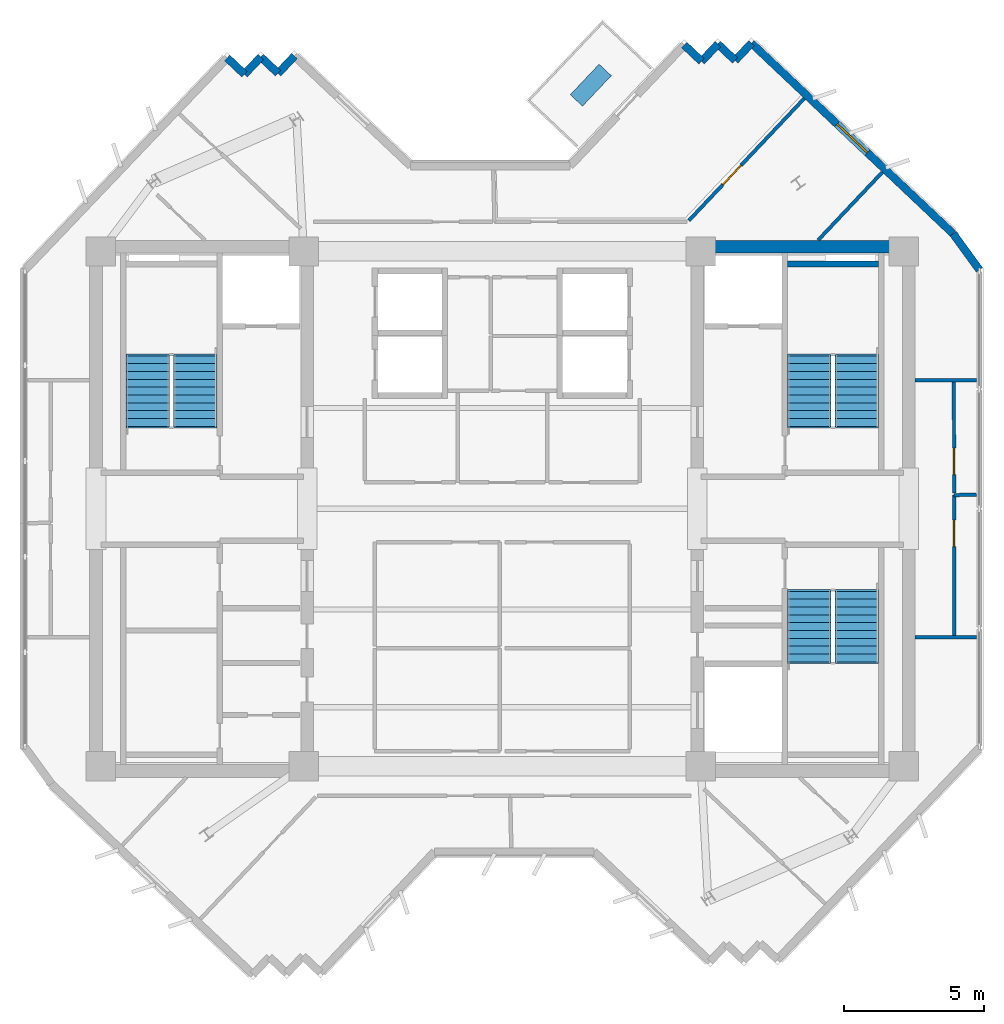
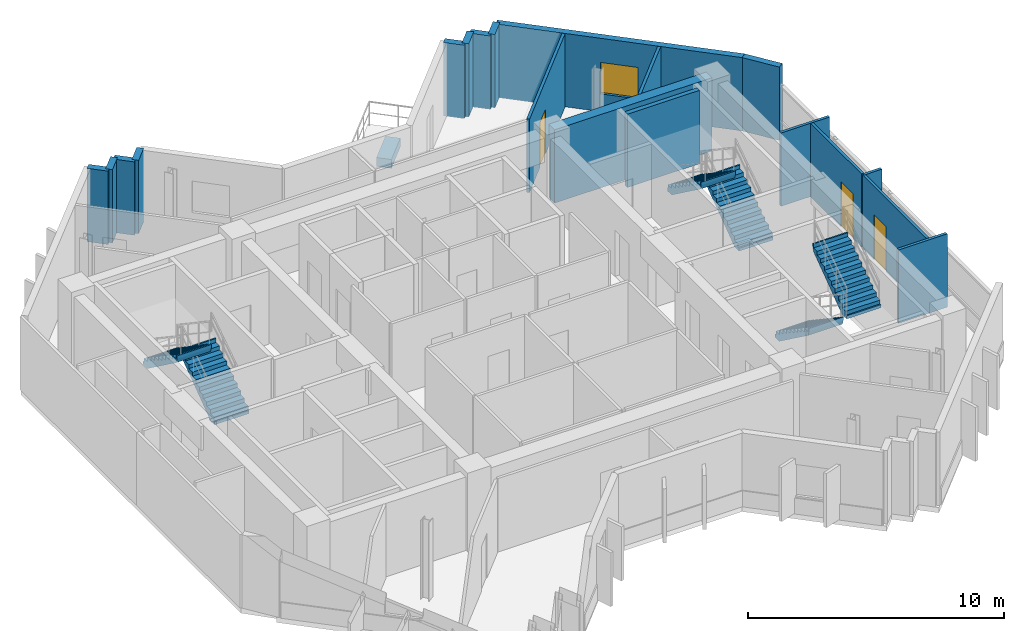
# One storey, part 7 of 9: 19 walls, 6 stair flights, 3 doors, 1 discrete accessory, 1 window, 4 openings, 3 elements without a shape of their own.
"""IFC4 building model written with IfcOpenShell, lengths in metres."""

import ifcopenshell
import ifcopenshell.guid

model = None  # the IFC model being written
_history = None  # IfcOwnerHistory: only IFC2X3 demands one
_inside = {}  # id of a spatial element -> (the spatial element, [elements in it])
_under = {}  # id of a project, library or spatial element -> (it, [spatial elements below it])
_declared = {}  # id of a project -> (the project, [libraries it declares])
_typed = {}  # id of a type object -> (the type object, [elements of that type])
_made_of = {}  # id of a material, layer set ... -> (it, [elements and type objects made of it])


def new_model(schema):
    """Start an empty IFC model of exactly this schema.

    Asked for "IFC4X3", IfcOpenShell would pick the latest addendum, in which some entities
    have other attributes; the version numbers below select the first issue.
    IFC2X3 requires an IfcOwnerHistory on every rooted entity: one is made here for all.
    """
    global model, _history
    if schema == "IFC4X3":
        model = ifcopenshell.file(schema_version=(4, 3, 0, 0))
    else:
        model = ifcopenshell.file(schema=schema)
    _inside.clear()
    _under.clear()
    _declared.clear()
    _typed.clear()
    _made_of.clear()
    _history = None
    if model.schema == "IFC2X3":
        org = make("IfcOrganization", Name="unknown")
        user = make(
            "IfcPersonAndOrganization",
            ThePerson=make("IfcPerson", FamilyName="unknown"),
            TheOrganization=org,
        )
        app = make(
            "IfcApplication",
            ApplicationDeveloper=org,
            Version="unknown",
            ApplicationFullName="unknown",
            ApplicationIdentifier="unknown",
        )
        _history = make(
            "IfcOwnerHistory",
            OwningUser=user,
            OwningApplication=app,
            ChangeAction="ADDED",
            CreationDate=0,
        )
    return model


def make(cls, **values):
    """One entity of the class cls with the attributes given. An attribute that is None is left unset."""
    return model.create_entity(
        cls, **{name: value for name, value in values.items() if value is not None}
    )


def rooted(cls, **values):
    """An entity with a GlobalId (a new one), such as an element, a storey or a relation."""
    return make(cls, GlobalId=ifcopenshell.guid.new(), OwnerHistory=_history, **values)


def si_unit(unit_type, name, prefix=None):
    """IfcSIUnit, for example si_unit("LENGTHUNIT", "METRE", prefix="MILLI")."""
    return make("IfcSIUnit", UnitType=unit_type, Prefix=prefix, Name=name)


def assignment(units):
    """IfcUnitAssignment: the units of a project."""
    return None if units is None else make("IfcUnitAssignment", Units=units)


def point(xyz):
    """IfcCartesianPoint."""
    return None if xyz is None else make("IfcCartesianPoint", Coordinates=xyz)


def direction(xyz):
    """IfcDirection."""
    return None if xyz is None else make("IfcDirection", DirectionRatios=xyz)


def frame(location, z_axis=None, x_axis=None):
    """IfcAxis2Placement3D, a coordinate frame: its origin and axes. An axis left out is left unset."""
    return make(
        "IfcAxis2Placement3D",
        Location=point(location),
        Axis=direction(z_axis),
        RefDirection=direction(x_axis),
    )


def frame_2d(location, x_axis=None):
    """IfcAxis2Placement2D, a coordinate frame in the plane: its origin and x axis."""
    return make(
        "IfcAxis2Placement2D", Location=point(location), RefDirection=direction(x_axis)
    )


def origin():
    """The frame at (0, 0, 0) with its axes left unset."""
    return frame((0.0, 0.0, 0.0))


def origin_2d():
    """The frame at (0, 0) in the plane with its x axis left unset."""
    return frame_2d((0.0, 0.0))


def place(relative_to, where):
    """IfcLocalPlacement: puts the frame where relative to a parent placement (None: the world)."""
    return make(
        "IfcLocalPlacement", PlacementRelTo=relative_to, RelativePlacement=where
    )


def context(
    kind, dimensions, precision=None, world=None, true_north=None, identifier=None
):
    """IfcGeometricRepresentationContext, for example the 3D "Model" context."""
    return make(
        "IfcGeometricRepresentationContext",
        ContextIdentifier=identifier,
        ContextType=kind,
        CoordinateSpaceDimension=dimensions,
        Precision=precision,
        WorldCoordinateSystem=world,
        TrueNorth=true_north,
    )


def subcontext(parent, identifier, kind, view, scale=None):
    """IfcGeometricRepresentationSubContext, for example "Body" below "Model"."""
    return make(
        "IfcGeometricRepresentationSubContext",
        ContextIdentifier=identifier,
        ContextType=kind,
        ParentContext=parent,
        TargetScale=scale,
        TargetView=view,
    )


def project(units=None, contexts=None):
    """IfcProject with its units and contexts."""
    return rooted(
        "IfcProject",
        Name="project",
        RepresentationContexts=contexts,
        UnitsInContext=assignment(units),
    )


def spatial(cls, under=None, at=None, **own):
    """A site, building, storey or space (cls), placed at a placement, below another one or the project."""
    s = rooted(cls, ObjectPlacement=at, **own)
    if under is not None:
        _under.setdefault(under.id(), (under, []))[1].append(s)
    return s


def polyline(points):
    """IfcPolyline through the points."""
    return make("IfcPolyline", Points=[point(p) for p in points])


def profile(cls, at=None, kind="AREA", **sizes):
    """A parametric profile (cls). Its sizes go by their IFC names, for example OverallWidth=200.0."""
    return make(cls, ProfileType=kind, Position=at, **sizes)


def rectangle(**sizes):
    """IfcRectangleProfileDef."""
    return profile("IfcRectangleProfileDef", **sizes)


def outline(outer, holes=None, kind="AREA"):
    """IfcArbitraryClosedProfileDef: a profile drawn as a closed curve; with holes, ...WithVoids."""
    if holes is None:
        return make("IfcArbitraryClosedProfileDef", ProfileType=kind, OuterCurve=outer)
    return make(
        "IfcArbitraryProfileDefWithVoids",
        ProfileType=kind,
        OuterCurve=outer,
        InnerCurves=holes,
    )


def extrude(swept, where, along, depth):
    """IfcExtrudedAreaSolid: the profile swept, set in the frame where, extruded along a direction by depth."""
    return make(
        "IfcExtrudedAreaSolid",
        SweptArea=swept,
        Position=where,
        ExtrudedDirection=direction(along),
        Depth=depth,
    )


def shape(context_of_items, identifier, shape_type, items):
    """IfcShapeRepresentation: the items that make up one representation, for example the "Body"."""
    return make(
        "IfcShapeRepresentation",
        ContextOfItems=context_of_items,
        RepresentationIdentifier=identifier,
        RepresentationType=shape_type,
        Items=items,
    )


def source(mapping_origin, context_of_items, identifier, shape_type, items):
    """IfcRepresentationMap: a shape defined once, which mapped items show again and again."""
    return make(
        "IfcRepresentationMap",
        MappingOrigin=mapping_origin,
        MappedRepresentation=shape(context_of_items, identifier, shape_type, items),
    )


def transform(
    local_origin,
    x_axis=None,
    y_axis=None,
    z_axis=None,
    scale=None,
    scale2=None,
    scale3=None,
    uniform=True,
):
    """IfcCartesianTransformationOperator3D, or its non-uniform kind. x_axis, y_axis, z_axis: its Axis1, 2, 3."""
    if uniform:
        return make(
            "IfcCartesianTransformationOperator3D",
            Axis1=direction(x_axis),
            Axis2=direction(y_axis),
            LocalOrigin=point(local_origin),
            Scale=scale,
            Axis3=direction(z_axis),
        )
    return make(
        "IfcCartesianTransformationOperator3DnonUniform",
        Axis1=direction(x_axis),
        Axis2=direction(y_axis),
        LocalOrigin=point(local_origin),
        Scale=scale,
        Axis3=direction(z_axis),
        Scale2=scale2,
        Scale3=scale3,
    )


def mapped(mapping_source, mapping_target):
    """IfcMappedItem: shows the shape of a source again, moved by a transform."""
    return make(
        "IfcMappedItem", MappingSource=mapping_source, MappingTarget=mapping_target
    )


def material(Name=None, Category=None):
    """IfcMaterial."""
    return make("IfcMaterial", Name=Name, Category=Category)


def layer(
    of_material, thickness, ventilated=None, Name=None, Category=None, Priority=None
):
    """IfcMaterialLayer: one layer of a wall or slab, of a material (None: an air gap)."""
    return make(
        "IfcMaterialLayer",
        Material=of_material,
        LayerThickness=thickness,
        IsVentilated=ventilated,
        Name=Name,
        Category=Category,
        Priority=Priority,
    )


def layer_set(layers, Name=None):
    """IfcMaterialLayerSet."""
    return make("IfcMaterialLayerSet", MaterialLayers=layers, LayerSetName=Name)


def made_of(thing, what):
    """Note that an element or type object is made of a material, layer set ...; save() writes the relation."""
    if what is not None:
        _made_of.setdefault(what.id(), (what, []))[1].append(thing)
    return thing


def type_object(cls, material=None, **own):
    """A type object (cls), such as IfcWallType, which elements share."""
    return made_of(rooted(cls, **own), material)


def element(
    cls,
    number,
    at=None,
    inside=None,
    cuts=None,
    type_object=None,
    material=None,
    context=None,
    identifier="Body",
    shape_type=None,
    held_by="IfcProductDefinitionShape",
    body=None,
    shapes=None,
    **own,
):
    """One element of the class cls, such as IfcWall. Its Tag is "e" and its number.

    at: its placement. inside: the storey or other place that contains it. cuts: it is an
    opening in that element (IfcRelVoidsElement). A single representation is given by context,
    identifier, shape_type and body (its items); several are given by shapes. held_by: the class
    of the entity that holds the representations. save() writes the other relations.
    """
    e = rooted(cls, Tag="e%d" % number, ObjectPlacement=at, **own)
    if body is not None:
        shapes = [shape(context, identifier, shape_type, body)]
    if shapes is not None:
        e.Representation = make(held_by, Representations=shapes)
    if inside is not None:
        _inside.setdefault(inside.id(), (inside, []))[1].append(e)
    if cuts is not None:
        rooted(
            "IfcRelVoidsElement", RelatingBuildingElement=cuts, RelatedOpeningElement=e
        )
    if type_object is not None:
        _typed.setdefault(type_object.id(), (type_object, []))[1].append(e)
    return made_of(e, material)


def fill(opening, filler):
    """IfcRelFillsElement: the door or window that sits in an opening."""
    return rooted(
        "IfcRelFillsElement",
        RelatingOpeningElement=opening,
        RelatedBuildingElement=filler,
    )


def aggregate(whole, parts):
    """IfcRelAggregates: a whole, such as a stair, and the parts it consists of."""
    return rooted("IfcRelAggregates", RelatingObject=whole, RelatedObjects=parts)


def save(model, path):
    """Write the relations noted so far, then the file.

    IfcRelAggregates (storeys below a building ...), IfcRelContainedInSpatialStructure (elements
    in a storey), IfcRelDefinesByType, IfcRelAssociatesMaterial and IfcRelDeclares: one each for
    every whole, place, type object, material and project.
    """
    for whole, parts in _under.values():
        aggregate(whole, parts)
    for where, things in _inside.values():
        rooted(
            "IfcRelContainedInSpatialStructure",
            RelatedElements=things,
            RelatingStructure=where,
        )
    for kind, things in _typed.values():
        rooted("IfcRelDefinesByType", RelatedObjects=things, RelatingType=kind)
    for what, things in _made_of.values():
        rooted("IfcRelAssociatesMaterial", RelatedObjects=things, RelatingMaterial=what)
    for by, libraries in _declared.values():
        rooted("IfcRelDeclares", RelatingContext=by, RelatedDefinitions=libraries)
    model.write(path)


model = new_model("IFC4")

# Units and contexts
model_context = context("Model", 3, precision=1e-05, world=origin(), true_north=direction((0.0, 1.0)))
body_context = subcontext(model_context, "Body", "Model", "MODEL_VIEW")
ifc_project = project(units=[si_unit("LENGTHUNIT", "METRE"), si_unit("AREAUNIT", "SQUARE_METRE"), si_unit("VOLUMEUNIT", "CUBIC_METRE"), si_unit("PLANEANGLEUNIT", "RADIAN"), si_unit("MASSUNIT", "GRAM", prefix="KILO")], contexts=[model_context])

# Site, building, storey
site_placement = place(None, origin())
site = spatial("IfcSite", under=ifc_project, at=site_placement, CompositionType="ELEMENT")
building_placement = place(site_placement, origin())
building = spatial("IfcBuilding", under=site, at=building_placement, Name="Zahravan Cultural Tower", CompositionType="ELEMENT")
storey_placement = place(building_placement, frame((0.0, 0.0, 306.60009765625)))
storey = spatial("IfcBuildingStorey", under=building, at=storey_placement, Name="L74", CompositionType="ELEMENT", Elevation=306.60009765625)

# Wall, opening, window
ifc_material_1 = material(Name="Precast concrete C40/50", Category="concrete")
ifc_layer_1 = layer(ifc_material_1, 0.280029296875)
ifc_layer_set_1 = layer_set([ifc_layer_1], Name="Precast concrete C40/50")
wall_type_1 = type_object("IfcWallType", Name="EW-TC-280", PredefinedType="SOLIDWALL", material=ifc_layer_set_1)
wall_1_placement = place(storey_placement, frame((44.91015625, 43.648681640625, 0.0), z_axis=(0.0, 0.0, 1.0), x_axis=(0.726772856404, -0.686877875022, 0.0)))
wall_1 = element("IfcWall", 1, at=wall_1_placement, inside=storey, type_object=wall_type_1, Name="L74 Exterior Masonry Frame Wall 06", PredefinedType="SOLIDWALL", context=body_context, shape_type="SweptSolid", body=[
    extrude(rectangle(XDim=9.919921875, YDim=0.280029296875, at=frame_2d((4.9599609375, 0.0))), origin(), (0.0, 0.0, 1.0), 3.5),
])
opening_1_placement = place(wall_1_placement, frame((4.2099609375, 0.0, 0.85009765625)))
opening_1 = element("IfcOpeningElement", 2, at=opening_1_placement, cuts=wall_1, Name="Opening WN-03", PredefinedType="OPENING", context=body_context, shape_type="SweptSolid", body=[
    extrude(rectangle(XDim=1.5, YDim=1.5, at=frame_2d((0.75, 0.75))), frame((0.0, 0.14990234375, 0.0), z_axis=(0.0, -1.0, 0.0), x_axis=(1.0, 0.0, 0.0)), (0.0, 0.0, 1.0), 0.300048828125),
])
ifc_material_2 = material(Name="Low-E solar-control double glazing", Category="glass")
window_type = type_object("IfcWindowType", Name="WN-REC-1500X1500", PartitioningType="SINGLE_PANEL", PredefinedType="WINDOW", material=ifc_material_2)
shared_shape_1 = source(origin(), body_context, "Body", "SweptSolid", [
    extrude(rectangle(XDim=1.5, YDim=1.5, at=frame_2d((0.75, 0.75))), frame((0.0, 0.030029296875, 0.0), z_axis=(0.0, -1.0, 0.0), x_axis=(1.0, 0.0, 0.0)), (0.0, 0.0, 1.0), 0.06005859375),
])
window_placement = place(opening_1_placement, origin())
window = element("IfcWindow", 3, at=window_placement, inside=storey, type_object=window_type, Name="L74 Recessed Solar Window 01", OverallHeight=1.5, OverallWidth=1.5, PartitioningType="SINGLE_PANEL", PredefinedType="WINDOW", context=body_context, shape_type="MappedRepresentation", body=[
    mapped(shared_shape_1, transform((0.0, 0.0, 0.0), x_axis=(1.0, 0.0, 0.0), y_axis=(0.0, 1.0, 0.0), z_axis=(0.0, 0.0, 1.0), scale=1.0)),
])
fill(opening_1, window)

# Wall, opening, door
ifc_material_3 = material(Name="Gypsum plasterboard partition")
ifc_layer_2 = layer(ifc_material_3, 0.125)
ifc_layer_set_2 = layer_set([ifc_layer_2], Name="Gypsum plasterboard partition")
wall_type_2 = type_object("IfcWallType", Name="W-PART-125", PredefinedType="PARTITIONING", material=ifc_layer_set_2)
wall_2_placement = place(storey_placement, frame((52.1494140625, 22.470947265625, 0.0), z_axis=(0.0, 0.0, 1.0), x_axis=(9.7318865e-05, 0.999999995265, 0.0)))
wall_2 = element("IfcWall", 4, at=wall_2_placement, inside=storey, type_object=wall_type_2, Name="L74 Interior Wall 075", PredefinedType="PARTITIONING", context=body_context, shape_type="SweptSolid", body=[
    extrude(rectangle(XDim=5.017333984375, YDim=0.125, at=frame_2d((2.5087890625, 0.0))), origin(), (0.0, 0.0, 1.0), 3.5),
])
opening_2_placement = place(wall_2_placement, frame((3.172607421875, 0.0, 0.0)))
opening_2 = element("IfcOpeningElement", 5, at=opening_2_placement, cuts=wall_2, Name="Opening D-L74-30", PredefinedType="OPENING", context=body_context, shape_type="SweptSolid", body=[
    extrude(rectangle(XDim=0.949951171875, YDim=2.14990234375, at=frame_2d((0.47509765625, 1.074951171875))), frame((0.0, 0.072509765625, 0.0), z_axis=(0.0, -1.0, 0.0), x_axis=(1.0, 0.0, 0.0)), (0.0, 0.0, 1.0), 0.14501953125),
])
ifc_material_4 = material(Name="Anodised bronze-aluminium mullion", Category="aluminium")
door_type = type_object("IfcDoorType", Name="DR-ROOM-950", OperationType="NOTDEFINED", PredefinedType="DOOR", material=ifc_material_4)
shared_shape_2 = source(origin(), body_context, "Body", "SweptSolid", [
    extrude(rectangle(XDim=0.949951171875, YDim=2.14990234375, at=frame_2d((0.47509765625, 1.074951171875))), frame((0.0, 0.02490234375, 0.0), z_axis=(0.0, -1.0, 0.0), x_axis=(1.0, 0.0, 0.0)), (0.0, 0.0, 1.0), 0.050048828125),
])
door_1_placement = place(opening_2_placement, origin())
door_1 = element("IfcDoor", 6, at=door_1_placement, inside=storey, type_object=door_type, Name="L74 Door D-L74-30", OperationType="SINGLE_SWING_LEFT", OverallHeight=2.14990234375, OverallWidth=0.949951171875, PredefinedType="DOOR", context=body_context, shape_type="MappedRepresentation", body=[
    mapped(shared_shape_2, transform((0.0, 0.0, 0.0), x_axis=(1.0, 0.0, 0.0), y_axis=(0.0, 1.0, 0.0), z_axis=(0.0, 0.0, 1.0), scale=1.0)),
])
fill(opening_2, door_1)

wall_3_placement = place(storey_placement, frame((42.67236328125, 37.306396484375, 0.0), z_axis=(0.0, 0.0, 1.0), x_axis=(0.686871949206, 0.726778456886, 0.0)))
wall_3 = element("IfcWall", 7, at=wall_3_placement, inside=storey, type_object=wall_type_2, Name="L74 Interior Wall 082", PredefinedType="PARTITIONING", context=body_context, shape_type="SweptSolid", body=[
    extrude(rectangle(XDim=6.00146484375, YDim=0.125, at=frame_2d((3.000732421875, 0.0))), origin(), (0.0, 0.0, 1.0), 3.5),
])
opening_3_placement = place(wall_3_placement, frame((1.76806640625, 0.0, 0.0)))
opening_3 = element("IfcOpeningElement", 8, at=opening_3_placement, cuts=wall_3, Name="Opening D-L74-32", PredefinedType="OPENING", context=body_context, shape_type="SweptSolid", body=[
    extrude(rectangle(XDim=0.949951171875, YDim=2.14990234375, at=frame_2d((0.47509765625, 1.074951171875))), frame((0.0, 0.072509765625, 0.0), z_axis=(0.0, -1.0, 0.0), x_axis=(1.0, 0.0, 0.0)), (0.0, 0.0, 1.0), 0.14501953125),
])
door_2_placement = place(opening_3_placement, origin())
door_2 = element("IfcDoor", 9, at=door_2_placement, inside=storey, type_object=door_type, Name="L74 Door D-L74-32", OperationType="SINGLE_SWING_LEFT", OverallHeight=2.14990234375, OverallWidth=0.949951171875, PredefinedType="DOOR", context=body_context, shape_type="MappedRepresentation", body=[
    mapped(shared_shape_2, transform((0.0, 0.0, 0.0), x_axis=(1.0, 0.0, 0.0), y_axis=(0.0, 1.0, 0.0), z_axis=(0.0, 0.0, 1.0), scale=1.0)),
])
fill(opening_3, door_2)

wall_4_placement = place(storey_placement, frame((52.14990234375, 27.555908203125, 0.0), z_axis=(0.0, 0.0, 1.0), x_axis=(-0.000245639885, 0.999999969831, 0.0)))
wall_4 = element("IfcWall", 10, at=wall_4_placement, inside=storey, type_object=wall_type_2, Name="L74 Interior Wall 089", PredefinedType="PARTITIONING", context=body_context, shape_type="SweptSolid", body=[
    extrude(rectangle(XDim=3.9755859375, YDim=0.125, at=frame_2d((1.98779296875, 0.0))), origin(), (0.0, 0.0, 1.0), 3.5),
])
opening_4_placement = place(wall_4_placement, frame((0.665771484375, 0.0, 0.0)))
opening_4 = element("IfcOpeningElement", 11, at=opening_4_placement, cuts=wall_4, Name="Opening D-L74-23", PredefinedType="OPENING", context=body_context, shape_type="SweptSolid", body=[
    extrude(rectangle(XDim=0.949951171875, YDim=2.14990234375, at=frame_2d((0.47509765625, 1.074951171875))), frame((0.0, 0.072509765625, 0.0), z_axis=(0.0, -1.0, 0.0), x_axis=(1.0, 0.0, 0.0)), (0.0, 0.0, 1.0), 0.14501953125),
])
door_3_placement = place(opening_4_placement, origin())
door_3 = element("IfcDoor", 12, at=door_3_placement, inside=storey, type_object=door_type, Name="L74 Door D-L74-23", OperationType="SINGLE_SWING_RIGHT", OverallHeight=2.14990234375, OverallWidth=0.949951171875, PredefinedType="DOOR", context=body_context, shape_type="MappedRepresentation", body=[
    mapped(shared_shape_2, transform((0.0, 0.0, 0.0), x_axis=(1.0, 0.0, 0.0), y_axis=(0.0, 1.0, 0.0), z_axis=(0.0, 0.0, 1.0), scale=1.0)),
])
fill(opening_4, door_3)

# Walls
ifc_material_5 = material(Name="Concrete C50/60", Category="concrete")
ifc_layer_3 = layer(ifc_material_5, 0.449951171875)
ifc_layer_set_3 = layer_set([ifc_layer_3], Name="Concrete C50/60")
wall_type_3 = type_object("IfcWallType", Name="CW-SHEAR-450-C50", PredefinedType="SHEAR", material=ifc_layer_set_3)
shared_shape_3 = source(origin(), body_context, "Body", "SweptSolid", [
    extrude(rectangle(XDim=7.10009765625, YDim=0.449951171875, at=frame_2d((3.550048828125, 0.0))), origin(), (0.0, 0.0, 1.0), 3.5),
])
wall_5_placement = place(storey_placement, frame((43.199951171875, 36.375, 0.0), z_axis=(0.0, 0.0, 1.0), x_axis=(1.0, 0.0, 0.0)))
element("IfcWall", 13, at=wall_5_placement, inside=storey, type_object=wall_type_3, Name="L74 Core Shear Wall CW-E-N-L74", PredefinedType="SHEAR", context=body_context, shape_type="MappedRepresentation", body=[
    mapped(shared_shape_3, transform((0.0, 0.0, 0.0), x_axis=(1.0, 0.0, 0.0), y_axis=(0.0, 1.0, 0.0), z_axis=(0.0, 0.0, 1.0), scale=1.0)),
])
shared_shape_4 = source(origin(), body_context, "Body", "SweptSolid", [
    extrude(rectangle(XDim=0.85009765625, YDim=0.280029296875, at=frame_2d((0.425048828125, 0.0))), origin(), (0.0, 0.0, 1.0), 3.5),
])
for number, where, z_axis, x_axis, name in (
    (14, (43.12451171875, 42.9970703125, 0.0), (0.0, 0.0, 1.0), (0.687011382404, 0.726646654466, 0.0), "L74 Exterior Masonry Frame Wall 03"),
    (15, (44.326171875, 43.031005859375, 0.0), (0.0, 0.0, 1.0), (0.687011382404, 0.726646654466, 0.0), "L74 Exterior Masonry Frame Wall 05"),
    (16, (26.78271484375, 42.535888671875, 0.0), (0.0, 0.0, 1.0), (0.687011382404, 0.726646654466, 0.0), "L74 Exterior Masonry Frame Wall 24"),
    (17, (27.984375, 42.56982421875, 0.0), (0.0, 0.0, 1.0), (0.687011382404, 0.726646654466, 0.0), "L74 Exterior Masonry Frame Wall 26"),
):
    element("IfcWall", number, at=place(storey_placement, frame(where, z_axis=z_axis, x_axis=x_axis)), inside=storey, type_object=wall_type_1, Name=name, PredefinedType="SOLIDWALL", context=body_context, shape_type="MappedRepresentation", body=[
        mapped(shared_shape_4, transform((0.0, 0.0, 0.0), x_axis=(1.0, 0.0, 0.0), y_axis=(0.0, 1.0, 0.0), z_axis=(0.0, 0.0, 1.0), scale=1.0)),
    ])
shared_shape_5 = source(origin(), body_context, "Body", "SweptSolid", [
    extrude(rectangle(XDim=0.849853515625, YDim=0.280029296875, at=frame_2d((0.4248046875, 0.0))), origin(), (0.0, 0.0, 1.0), 3.5),
])
for number, where, z_axis, x_axis, name in (
    (18, (42.5068359375, 43.580810546875, 0.0), (0.0, 0.0, 1.0), (0.726790047388, -0.686859685101, 0.0), "L74 Exterior Masonry Frame Wall 02"),
    (19, (43.70849609375, 43.61474609375, 0.0), (0.0, 0.0, 1.0), (0.726790047388, -0.686859685101, 0.0), "L74 Exterior Masonry Frame Wall 04"),
    (20, (26.1650390625, 43.11962890625, 0.0), (0.0, 0.0, 1.0), (0.726790047388, -0.686859685101, 0.0), "L74 Exterior Masonry Frame Wall 23"),
    (21, (27.36669921875, 43.153564453125, 0.0), (0.0, 0.0, 1.0), (0.726790047388, -0.686859685101, 0.0), "L74 Exterior Masonry Frame Wall 25"),
):
    element("IfcWall", number, at=place(storey_placement, frame(where, z_axis=z_axis, x_axis=x_axis)), inside=storey, type_object=wall_type_1, Name=name, PredefinedType="SOLIDWALL", context=body_context, shape_type="MappedRepresentation", body=[
        mapped(shared_shape_5, transform((0.0, 0.0, 0.0), x_axis=(1.0, 0.0, 0.0), y_axis=(0.0, 1.0, 0.0), z_axis=(0.0, 0.0, 1.0), scale=1.0)),
    ])
shared_shape_6 = source(origin(), body_context, "Body", "SweptSolid", [
    extrude(rectangle(XDim=1.598876953125, YDim=0.280029296875, at=frame_2d((0.79931640625, 0.0))), origin(), (0.0, 0.0, 1.0), 3.5),
])
wall_6_placement = place(storey_placement, frame((52.11962890625, 36.8349609375, 0.0), z_axis=(0.0, 0.0, 1.0), x_axis=(0.58820801539, -0.808709670173, 0.0)))
element("IfcWall", 22, at=wall_6_placement, inside=storey, type_object=wall_type_1, Name="L74 Exterior Masonry Frame Wall 07", PredefinedType="SOLIDWALL", context=body_context, shape_type="MappedRepresentation", body=[
    mapped(shared_shape_6, transform((0.0, 0.0, 0.0), x_axis=(1.0, 0.0, 0.0), y_axis=(0.0, 1.0, 0.0), z_axis=(0.0, 0.0, 1.0), scale=1.0)),
])
ifc_material_6 = material(Name="Concrete C45/55", Category="concrete")
ifc_layer_4 = layer(ifc_material_6, 0.199951171875)
ifc_layer_set_4 = layer_set([ifc_layer_4], Name="Concrete C45/55")
wall_type_4 = type_object("IfcWallType", Name="W-SHAFT-200", PredefinedType="SOLIDWALL", material=ifc_layer_set_4)
shared_shape_7 = source(origin(), body_context, "Body", "SweptSolid", [
    extrude(rectangle(XDim=3.25, YDim=0.199951171875, at=frame_2d((1.625, 0.0))), origin(), (0.0, 0.0, 1.0), 3.5),
])
wall_7_placement = place(storey_placement, frame((46.199951171875, 35.75, 0.0), z_axis=(0.0, 0.0, 1.0), x_axis=(1.0, 0.0, 0.0)))
element("IfcWall", 23, at=wall_7_placement, inside=storey, type_object=wall_type_4, Name="L74 Interior Wall 018", PredefinedType="SOLIDWALL", context=body_context, shape_type="MappedRepresentation", body=[
    mapped(shared_shape_7, transform((0.0, 0.0, 0.0), x_axis=(1.0, 0.0, 0.0), y_axis=(0.0, 1.0, 0.0), z_axis=(0.0, 0.0, 1.0), scale=1.0)),
])
shared_shape_8 = source(origin(), body_context, "Body", "SweptSolid", [
    extrude(rectangle(XDim=2.195068359375, YDim=0.125, at=frame_2d((1.09765625, 0.0))), origin(), (0.0, 0.0, 1.0), 3.5),
])
for number, where, z_axis, x_axis, name in (
    (24, (50.7548828125, 22.400146484375, 0.0), (0.0, 0.0, 1.0), (0.999997006375, 0.002446884011, 0.0), "L74 Interior Wall 074"),
    (25, (52.949951171875, 31.598388671875, 0.0), (0.0, 0.0, 1.0), (-0.999999696925, 0.000778556098, 0.0), "L74 Interior Wall 088"),
):
    element("IfcWall", number, at=place(storey_placement, frame(where, z_axis=z_axis, x_axis=x_axis)), inside=storey, type_object=wall_type_2, Name=name, PredefinedType="PARTITIONING", context=body_context, shape_type="MappedRepresentation", body=[
        mapped(shared_shape_8, transform((0.0, 0.0, 0.0), x_axis=(1.0, 0.0, 0.0), y_axis=(0.0, 1.0, 0.0), z_axis=(0.0, 0.0, 1.0), scale=1.0)),
    ])
shared_shape_9 = source(origin(), body_context, "Body", "SweptSolid", [
    extrude(rectangle(XDim=0.79541015625, YDim=0.125, at=frame_2d((0.397705078125, 0.0))), origin(), (0.0, 0.0, 1.0), 3.5),
])
wall_8_placement = place(storey_placement, frame((52.14990234375, 27.48828125, 0.0), z_axis=(0.0, 0.0, 1.0), x_axis=(0.999727865024, 0.023328006675, 0.0)))
element("IfcWall", 26, at=wall_8_placement, inside=storey, type_object=wall_type_2, Name="L74 Interior Wall 076", PredefinedType="PARTITIONING", context=body_context, shape_type="MappedRepresentation", body=[
    mapped(shared_shape_9, transform((0.0, 0.0, 0.0), x_axis=(1.0, 0.0, 0.0), y_axis=(0.0, 1.0, 0.0), z_axis=(0.0, 0.0, 1.0), scale=1.0)),
])
shared_shape_10 = source(origin(), body_context, "Body", "SweptSolid", [
    extrude(rectangle(XDim=3.33740234375, YDim=0.125, at=frame_2d((1.668701171875, 0.0))), origin(), (0.0, 0.0, 1.0), 3.5),
])
wall_9_placement = place(storey_placement, frame((49.58544921875, 39.030517578125, 0.0), z_axis=(0.0, 0.0, 1.0), x_axis=(-0.686891986515, -0.726759519278, 0.0)))
element("IfcWall", 27, at=wall_9_placement, inside=storey, type_object=wall_type_2, Name="L74 Interior Wall 081", PredefinedType="PARTITIONING", context=body_context, shape_type="MappedRepresentation", body=[
    mapped(shared_shape_10, transform((0.0, 0.0, 0.0), x_axis=(1.0, 0.0, 0.0), y_axis=(0.0, 1.0, 0.0), z_axis=(0.0, 0.0, 1.0), scale=1.0)),
])

# Stair, stair flights
stair_type = type_object("IfcStairType", Name="STR-DL-1550-375", PredefinedType="HALF_TURN_STAIR", material=ifc_material_6)
stair_1_placement = place(storey_placement, origin())
stair_1 = element("IfcStair", 28, at=stair_1_placement, inside=storey, type_object=stair_type, Name="L74 West Core North Exit Stair ST-W1", PredefinedType="HALF_TURN_STAIR")
stair_flight_type = type_object("IfcStairFlightType", Name="FLG-DL-1550-375", PredefinedType="STRAIGHT", material=ifc_material_6)
stair_flight_1_placement = place(storey_placement, frame((25.02490234375, 29.949951171875, 0.0), z_axis=(0.0, 0.0, 1.0), x_axis=(0.0, 1.0, 0.0)))
stair_flight_1 = element("IfcStairFlight", 29, at=stair_flight_1_placement, type_object=stair_flight_type, Name="ST-W1 flight 1", NumberOfRisers=10, NumberOfTreads=9, PredefinedType="STRAIGHT", RiserHeight=0.1875, TreadLength=0.28, context=body_context, shape_type="SweptSolid", body=[
    extrude(outline(polyline([(-0.06494140625, -0.139892578125), (-0.06494140625, 0.0), (0.0, 0.0), (0.0, 0.1875), (0.280029296875, 0.1875), (0.280029296875, 0.375), (0.56005859375, 0.375), (0.56005859375, 0.5625), (0.840087890625, 0.5625), (0.840087890625, 0.75), (1.1201171875, 0.75), (1.1201171875, 0.9375), (1.39990234375, 0.9375), (1.39990234375, 1.125), (1.679931640625, 1.125), (1.679931640625, 1.3125), (1.9599609375, 1.3125), (1.9599609375, 1.5), (2.239990234375, 1.5), (2.239990234375, 1.6875), (2.52001953125, 1.6875), (2.52001953125, 1.875), (2.5849609375, 1.875), (2.5849609375, 1.72509765625), (2.52001953125, 1.507080078125), (0.26953125, -0.139892578125), (-0.06494140625, -0.139892578125)])), frame((0.0, 0.77490234375, 0.0), z_axis=(0.0, -1.0, 0.0), x_axis=(1.0, 0.0, 0.0)), (0.0, 0.0, 1.0), 1.550048828125),
])
stair_flight_2_placement = place(storey_placement, frame((23.324951171875, 32.469970703125, 1.875), z_axis=(0.0, 0.0, 1.0), x_axis=(0.0, -1.0, 0.0)))
stair_flight_2 = element("IfcStairFlight", 30, at=stair_flight_2_placement, type_object=stair_flight_type, Name="ST-W1 flight 2", NumberOfRisers=10, NumberOfTreads=9, PredefinedType="STRAIGHT", RiserHeight=0.1875, TreadLength=0.28, context=body_context, shape_type="SweptSolid", body=[
    extrude(outline(polyline([(-0.06494140625, -0.139892578125), (-0.06494140625, 0.0), (0.0, 0.0), (0.0, 0.1875), (0.280029296875, 0.1875), (0.280029296875, 0.375), (0.56005859375, 0.375), (0.56005859375, 0.5625), (0.840087890625, 0.5625), (0.840087890625, 0.75), (1.1201171875, 0.75), (1.1201171875, 0.9375), (1.39990234375, 0.9375), (1.39990234375, 1.125), (1.679931640625, 1.125), (1.679931640625, 1.3125), (1.9599609375, 1.3125), (1.9599609375, 1.5), (2.239990234375, 1.5), (2.239990234375, 1.6875), (2.52001953125, 1.6875), (2.52001953125, 1.875), (2.5849609375, 1.875), (2.5849609375, 1.72509765625), (2.52001953125, 1.507080078125), (0.26953125, -0.139892578125), (-0.06494140625, -0.139892578125)])), frame((0.0, 0.77490234375, 0.0), z_axis=(0.0, -1.0, 0.0), x_axis=(1.0, 0.0, 0.0)), (0.0, 0.0, 1.0), 1.550048828125),
])
aggregate(stair_1, [stair_flight_1, stair_flight_2])

stair_2_placement = place(storey_placement, origin())
stair_2 = element("IfcStair", 31, at=stair_2_placement, inside=storey, type_object=stair_type, Name="L74 East Core North Exit Stair ST-E1", PredefinedType="HALF_TURN_STAIR")
stair_flight_3_placement = place(storey_placement, frame((48.675048828125, 29.949951171875, 0.0), z_axis=(0.0, 0.0, 1.0), x_axis=(0.0, 1.0, 0.0)))
stair_flight_3 = element("IfcStairFlight", 32, at=stair_flight_3_placement, type_object=stair_flight_type, Name="ST-E1 flight 1", NumberOfRisers=10, NumberOfTreads=9, PredefinedType="STRAIGHT", RiserHeight=0.1875, TreadLength=0.28, context=body_context, shape_type="SweptSolid", body=[
    extrude(outline(polyline([(-0.06494140625, -0.139892578125), (-0.06494140625, 0.0), (0.0, 0.0), (0.0, 0.1875), (0.280029296875, 0.1875), (0.280029296875, 0.375), (0.56005859375, 0.375), (0.56005859375, 0.5625), (0.840087890625, 0.5625), (0.840087890625, 0.75), (1.1201171875, 0.75), (1.1201171875, 0.9375), (1.39990234375, 0.9375), (1.39990234375, 1.125), (1.679931640625, 1.125), (1.679931640625, 1.3125), (1.9599609375, 1.3125), (1.9599609375, 1.5), (2.239990234375, 1.5), (2.239990234375, 1.6875), (2.52001953125, 1.6875), (2.52001953125, 1.875), (2.5849609375, 1.875), (2.5849609375, 1.72509765625), (2.52001953125, 1.507080078125), (0.26953125, -0.139892578125), (-0.06494140625, -0.139892578125)])), frame((0.0, 0.77490234375, 0.0), z_axis=(0.0, -1.0, 0.0), x_axis=(1.0, 0.0, 0.0)), (0.0, 0.0, 1.0), 1.550048828125),
])
stair_flight_4_placement = place(storey_placement, frame((46.97509765625, 32.469970703125, 1.875), z_axis=(0.0, 0.0, 1.0), x_axis=(0.0, -1.0, 0.0)))
stair_flight_4 = element("IfcStairFlight", 33, at=stair_flight_4_placement, type_object=stair_flight_type, Name="ST-E1 flight 2", NumberOfRisers=10, NumberOfTreads=9, PredefinedType="STRAIGHT", RiserHeight=0.1875, TreadLength=0.28, context=body_context, shape_type="SweptSolid", body=[
    extrude(outline(polyline([(-0.06494140625, -0.139892578125), (-0.06494140625, 0.0), (0.0, 0.0), (0.0, 0.1875), (0.280029296875, 0.1875), (0.280029296875, 0.375), (0.56005859375, 0.375), (0.56005859375, 0.5625), (0.840087890625, 0.5625), (0.840087890625, 0.75), (1.1201171875, 0.75), (1.1201171875, 0.9375), (1.39990234375, 0.9375), (1.39990234375, 1.125), (1.679931640625, 1.125), (1.679931640625, 1.3125), (1.9599609375, 1.3125), (1.9599609375, 1.5), (2.239990234375, 1.5), (2.239990234375, 1.6875), (2.52001953125, 1.6875), (2.52001953125, 1.875), (2.5849609375, 1.875), (2.5849609375, 1.72509765625), (2.52001953125, 1.507080078125), (0.26953125, -0.139892578125), (-0.06494140625, -0.139892578125)])), frame((0.0, 0.77490234375, 0.0), z_axis=(0.0, -1.0, 0.0), x_axis=(1.0, 0.0, 0.0)), (0.0, 0.0, 1.0), 1.550048828125),
])
aggregate(stair_2, [stair_flight_3, stair_flight_4])

stair_3_placement = place(storey_placement, origin())
stair_3 = element("IfcStair", 34, at=stair_3_placement, inside=storey, type_object=stair_type, Name="L74 East Core South Exit Stair ST-E2", PredefinedType="HALF_TURN_STAIR")
stair_flight_5_placement = place(storey_placement, frame((46.97509765625, 24.050048828125, 0.0), z_axis=(0.0, 0.0, 1.0), x_axis=(0.0, -1.0, 0.0)))
stair_flight_5 = element("IfcStairFlight", 35, at=stair_flight_5_placement, type_object=stair_flight_type, Name="ST-E2 flight 1", NumberOfRisers=10, NumberOfTreads=9, PredefinedType="STRAIGHT", RiserHeight=0.1875, TreadLength=0.28, context=body_context, shape_type="SweptSolid", body=[
    extrude(outline(polyline([(-0.06494140625, -0.139892578125), (-0.06494140625, 0.0), (0.0, 0.0), (0.0, 0.1875), (0.280029296875, 0.1875), (0.280029296875, 0.375), (0.56005859375, 0.375), (0.56005859375, 0.5625), (0.840087890625, 0.5625), (0.840087890625, 0.75), (1.1201171875, 0.75), (1.1201171875, 0.9375), (1.39990234375, 0.9375), (1.39990234375, 1.125), (1.679931640625, 1.125), (1.679931640625, 1.3125), (1.9599609375, 1.3125), (1.9599609375, 1.5), (2.239990234375, 1.5), (2.239990234375, 1.6875), (2.52001953125, 1.6875), (2.52001953125, 1.875), (2.5849609375, 1.875), (2.5849609375, 1.72509765625), (2.52001953125, 1.507080078125), (0.26953125, -0.139892578125), (-0.06494140625, -0.139892578125)])), frame((0.0, 0.77490234375, 0.0), z_axis=(0.0, -1.0, 0.0), x_axis=(1.0, 0.0, 0.0)), (0.0, 0.0, 1.0), 1.550048828125),
])
stair_flight_6_placement = place(storey_placement, frame((48.675048828125, 21.530029296875, 1.875), z_axis=(0.0, 0.0, 1.0), x_axis=(0.0, 1.0, 0.0)))
stair_flight_6 = element("IfcStairFlight", 36, at=stair_flight_6_placement, type_object=stair_flight_type, Name="ST-E2 flight 2", NumberOfRisers=10, NumberOfTreads=9, PredefinedType="STRAIGHT", RiserHeight=0.1875, TreadLength=0.28, context=body_context, shape_type="SweptSolid", body=[
    extrude(outline(polyline([(-0.06494140625, -0.139892578125), (-0.06494140625, 0.0), (0.0, 0.0), (0.0, 0.1875), (0.280029296875, 0.1875), (0.280029296875, 0.375), (0.56005859375, 0.375), (0.56005859375, 0.5625), (0.840087890625, 0.5625), (0.840087890625, 0.75), (1.1201171875, 0.75), (1.1201171875, 0.9375), (1.39990234375, 0.9375), (1.39990234375, 1.125), (1.679931640625, 1.125), (1.679931640625, 1.3125), (1.9599609375, 1.3125), (1.9599609375, 1.5), (2.239990234375, 1.5), (2.239990234375, 1.6875), (2.52001953125, 1.6875), (2.52001953125, 1.875), (2.5849609375, 1.875), (2.5849609375, 1.72509765625), (2.52001953125, 1.507080078125), (0.26953125, -0.139892578125), (-0.06494140625, -0.139892578125)])), frame((0.0, 0.77490234375, 0.0), z_axis=(0.0, -1.0, 0.0), x_axis=(1.0, 0.0, 0.0)), (0.0, 0.0, 1.0), 1.550048828125),
])
aggregate(stair_3, [stair_flight_5, stair_flight_6])

# Discrete accessory
ifc_material_7 = material(Name="Planted soil and terracotta planter", Category="masonry")
discrete_accessory_type = type_object("IfcDiscreteAccessoryType", Name="ACC-PLANTER-TC", PredefinedType="USERDEFINED", material=ifc_material_7)
shared_shape_11 = source(origin(), body_context, "Body", "SweptSolid", [
    extrude(rectangle(XDim=1.5, YDim=0.60009765625, at=origin_2d()), origin(), (0.0, 0.0, 1.0), 0.419921875),
])
discrete_accessory_placement = place(storey_placement, frame((39.164306640625, 42.144287109375, 0.0), z_axis=(0.0, 0.0, 1.0), x_axis=(0.686875706913, 0.726774905492, 0.0)))
element("IfcDiscreteAccessory", 37, at=discrete_accessory_placement, inside=storey, type_object=discrete_accessory_type, Name="L74 Terracotta Sculpture Planter NE", ObjectType="PLANTER", PredefinedType="USERDEFINED", context=body_context, shape_type="MappedRepresentation", body=[
    mapped(shared_shape_11, transform((0.0, 0.0, 0.0), x_axis=(1.0, 0.0, 0.0), y_axis=(0.0, 1.0, 0.0), z_axis=(0.0, 0.0, 1.0), scale=1.0)),
])

save(model, "model.ifc")
